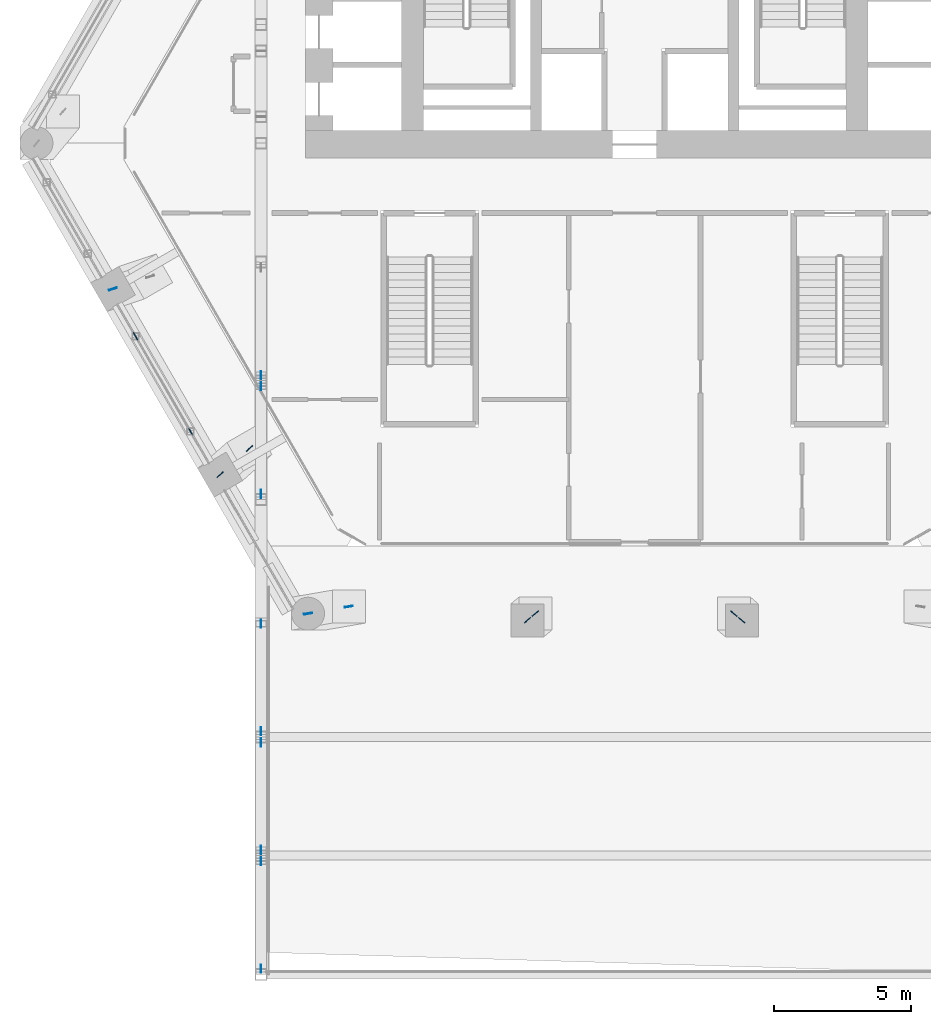
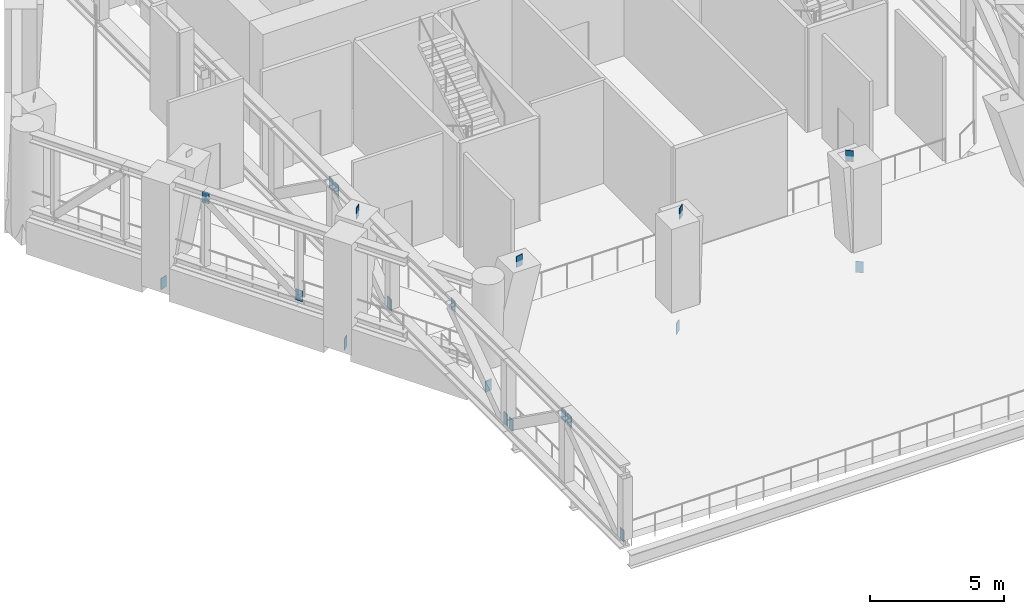
# One storey, part 13 of 22: 20 discrete accessories.
"""IFC4 building model written with IfcOpenShell, lengths in metres."""

from ifc_helpers import new_model, si_unit, direction, frame, origin, origin_2d, place, context, subcontext, project, spatial, rectangle, extrude, material, layer, layer_set, type_object, element, save


model = new_model("IFC4")

# Units and contexts
model_context = context("Model", 3, precision=1e-05, world=origin(), true_north=direction((0.0, 1.0)))
body_context = subcontext(model_context, "Body", "Model", "MODEL_VIEW")
ifc_project = project(units=[si_unit("LENGTHUNIT", "METRE"), si_unit("AREAUNIT", "SQUARE_METRE"), si_unit("VOLUMEUNIT", "CUBIC_METRE"), si_unit("PLANEANGLEUNIT", "RADIAN"), si_unit("MASSUNIT", "GRAM", prefix="KILO")], contexts=[model_context])

# Site, building, storey
site_placement = place(None, origin())
site = spatial("IfcSite", under=ifc_project, at=site_placement, CompositionType="ELEMENT")
building_placement = place(site_placement, origin())
building = spatial("IfcBuilding", under=site, at=building_placement, Name="Ostrander Bayou Hotel Tower", CompositionType="ELEMENT")
storey_placement = place(building_placement, frame((0.0, 0.0, 146.0)))
storey = spatial("IfcBuildingStorey", under=building, at=storey_placement, Name="L36", CompositionType="ELEMENT", Elevation=146.0)

# Discrete accessories
ifc_material = material(Name="Steel ASTM A572 Gr 50", Category="steel")
ifc_layer = layer(ifc_material, 0.030029296875)
ifc_layer_set = layer_set([ifc_layer], Name="GP1 gusset plate 30 mm")
discrete_accessory_type = type_object("IfcDiscreteAccessoryType", Name="GP1 gusset plate 30 mm", PredefinedType="BRACKET", material=ifc_layer_set)
for number, where, z_axis, x_axis, name in (
    (1, (-16.189697265625, -11.65869140625, 0.130615234375), (0.0, 0.0, 1.0), (-0.5, 0.866025403784, 0.0), "GP1 gusset plate belt 23"),
    (2, (-18.191650390625, -8.191162109375, 3.16943359375), (0.0, 0.0, 1.0), (-0.5, 0.866025403784, 0.0), "GP1 gusset plate belt 24"),
    (3, (-13.6201171875, -9.608642578125, 3.05224609375), (0.0, 0.0, 1.0), (0.0, -1.0, 0.0), "GP1 gusset plate bar 126"),
    (4, (-13.6201171875, -13.936279296875, 0.247802734375), (0.0, 0.0, 1.0), (0.0, 1.0, 0.0), "GP1 gusset plate bar 127"),
    (5, (-13.6201171875, -10.014892578125, 3.05224609375), (0.0, 0.0, 1.0), (0.0, 1.0, 0.0), "GP1 gusset plate bar 128"),
    (6, (-13.6201171875, -22.591552734375, 0.247802734375), (0.0, 0.0, 1.0), (0.0, 1.0, 0.0), "GP1 gusset plate bar 129"),
    (7, (-13.6201171875, -18.67041015625, 3.05224609375), (0.0, 0.0, 1.0), (0.0, 1.0, 0.0), "GP1 gusset plate bar 130"),
    (8, (-13.6201171875, -22.997802734375, 0.247802734375), (0.0, 0.0, 1.0), (0.0, -1.0, 0.0), "GP1 gusset plate bar 131"),
    (9, (-13.6201171875, -26.919189453125, 3.05224609375), (0.0, 0.0, 1.0), (0.0, -1.0, 0.0), "GP1 gusset plate bar 132"),
    (10, (-13.6201171875, -31.246826171875, 0.247802734375), (0.0, 0.0, 1.0), (0.0, 1.0, 0.0), "GP1 gusset plate bar 133"),
    (11, (-13.6201171875, -27.32568359375, 3.05224609375), (0.0, 0.0, 1.0), (0.0, 1.0, 0.0), "GP1 gusset plate bar 134"),
    (12, (-11.90234375, -18.302490234375, -1.449951171875), (0.0, 0.0, 1.0), (0.985330558407, 0.170656645546, 0.0), "GP1 gusset plate belt 89"),
    (13, (-10.41845703125, -18.04541015625, 3.550048828125), (0.0, 0.0, 1.0), (0.985330558407, 0.170656645546, 0.0), "GP1 gusset plate belt 90"),
    (14, (-19.01416015625, -6.466796875, -1.449951171875), (0.0, 0.0, 1.0), (0.949156600569, 0.314804300472, 0.0), "GP1 gusset plate belt 105"),
    (15, (-15.107421875, -13.2333984375, -1.449951171875), (0.0, 0.0, 1.0), (0.747206821714, 0.664591578026, 0.0), "GP1 gusset plate belt 107"),
    (16, (-14.039306640625, -12.283203125, 3.550048828125), (0.0, 0.0, 1.0), (0.747206821714, 0.664591578026, 0.0), "GP1 gusset plate belt 108"),
    (17, (-3.90673828125, -18.54345703125, -1.449951171875), (0.0, 0.0, 1.0), (0.764302734291, 0.644857604712, 0.0), "GP1 gusset plate belt 109"),
    (18, (-3.6181640625, -18.300048828125, 3.550048828125), (0.0, 0.0, 1.0), (0.764302734291, 0.644857604712, 0.0), "GP1 gusset plate belt 110"),
    (19, (3.90673828125, -18.54345703125, -1.449951171875), (0.0, 0.0, 1.0), (-0.764302734291, 0.644857604712, 0.0), "GP1 gusset plate belt 111"),
    (20, (3.6181640625, -18.300048828125, 3.550048828125), (0.0, 0.0, 1.0), (-0.764302734291, 0.644857604712, 0.0), "GP1 gusset plate belt 112"),
):
    element("IfcDiscreteAccessory", number, at=place(storey_placement, frame(where, z_axis=z_axis, x_axis=x_axis)), inside=storey, type_object=discrete_accessory_type, Name=name, PredefinedType="BRACKET", context=body_context, shape_type="SweptSolid", body=[
        extrude(rectangle(XDim=0.300048828125, YDim=0.030029296875, at=origin_2d()), origin(), (0.0, 0.0, 1.0), 0.5),
    ])

save(model, "model.ifc")
